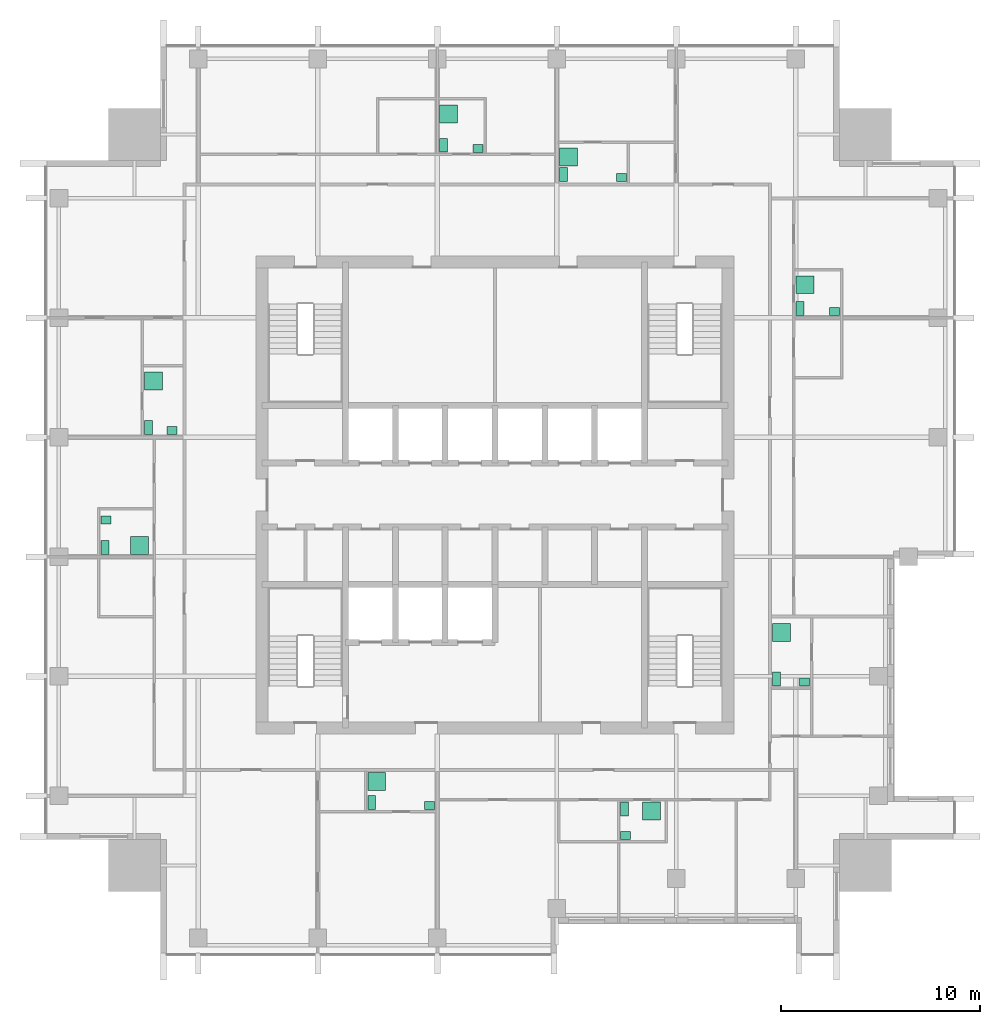
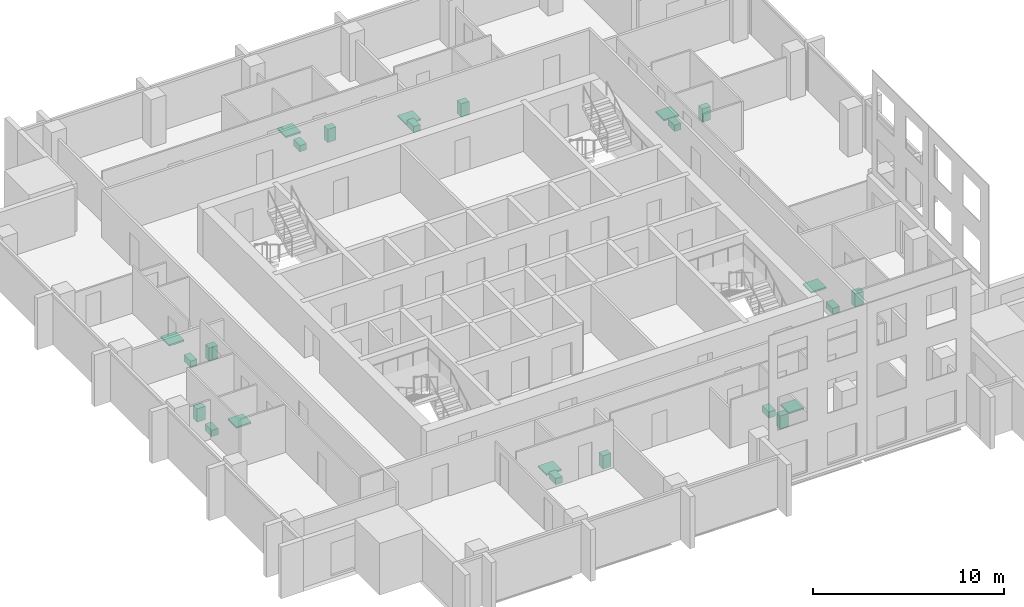
# One storey, part 10 of 10: 24 sanitary terminals.
"""IFC4 building model written with IfcOpenShell, lengths in metres."""

from ifc_helpers import new_model, si_unit, direction, frame, origin, origin_2d, place, context, subcontext, project, spatial, rectangle, extrude, element, save


model = new_model("IFC4")

# Units and contexts
model_context = context("Model", 3, precision=1e-05, world=origin(), true_north=direction((0.0, 1.0)))
body_context = subcontext(model_context, "Body", "Model", "MODEL_VIEW")
ifc_project = project(units=[si_unit("LENGTHUNIT", "METRE"), si_unit("AREAUNIT", "SQUARE_METRE"), si_unit("VOLUMEUNIT", "CUBIC_METRE"), si_unit("PLANEANGLEUNIT", "RADIAN"), si_unit("MASSUNIT", "GRAM", prefix="KILO")], contexts=[model_context])

# Site, building, storey
site_placement = place(None, origin())
site = spatial("IfcSite", under=ifc_project, at=site_placement, CompositionType="ELEMENT")
building_placement = place(site_placement, origin())
building = spatial("IfcBuilding", under=site, at=building_placement, Name="Amberfall Residences", CompositionType="ELEMENT")
storey_placement = place(building_placement, frame((0.0, 0.0, 206.800048828125)))
storey = spatial("IfcBuildingStorey", under=building, at=storey_placement, Name="L55", CompositionType="ELEMENT", Elevation=206.800048828125)

# Sanitary terminals
sanitary_terminal_1_placement = place(storey_placement, frame((68.31005859375, 30.06005859375, 0.0), z_axis=(0.0, 0.0, 1.0), x_axis=(1.0, 0.0, 0.0)))
element("IfcSanitaryTerminal", 1, at=sanitary_terminal_1_placement, inside=storey, Name="Water closet 5501", PredefinedType="TOILETPAN", context=body_context, shape_type="SweptSolid", body=[
    extrude(rectangle(XDim=0.39990234375, YDim=0.699951171875, at=origin_2d()), origin(), (0.0, 0.0, 1.0), 0.39990234375),
])
sanitary_terminal_2_placement = place(storey_placement, frame((71.215087890625, 29.909912109375, 0.0), z_axis=(0.0, 0.0, 1.0), x_axis=(1.0, 0.0, 0.0)))
element("IfcSanitaryTerminal", 2, at=sanitary_terminal_2_placement, inside=storey, Name="Basin 5501", PredefinedType="WASHHANDBASIN", context=body_context, shape_type="SweptSolid", body=[
    extrude(rectangle(XDim=0.5, YDim=0.39990234375, at=origin_2d()), origin(), (0.0, 0.0, 1.0), 0.85009765625),
])
sanitary_terminal_3_placement = place(storey_placement, frame((68.56005859375, 31.114990234375, 0.0), z_axis=(0.0, 0.0, 1.0), x_axis=(1.0, 0.0, 0.0)))
element("IfcSanitaryTerminal", 3, at=sanitary_terminal_3_placement, inside=storey, Name="Shower tray 5501", PredefinedType="SHOWER", context=body_context, shape_type="SweptSolid", body=[
    extrude(rectangle(XDim=0.89990234375, YDim=0.89990234375, at=origin_2d()), origin(), (0.0, 0.0, 1.0), 0.10009765625),
])
sanitary_terminal_4_placement = place(storey_placement, frame((81.010009765625, 29.739990234375, 0.0), z_axis=(0.0, 0.0, 1.0), x_axis=(1.0, 0.0, 0.0)))
element("IfcSanitaryTerminal", 4, at=sanitary_terminal_4_placement, inside=storey, Name="Water closet 5502", PredefinedType="TOILETPAN", context=body_context, shape_type="SweptSolid", body=[
    extrude(rectangle(XDim=0.39990234375, YDim=0.699951171875, at=origin_2d()), origin(), (0.0, 0.0, 1.0), 0.39990234375),
])
sanitary_terminal_5_placement = place(storey_placement, frame((81.06005859375, 28.409912109375, 0.0), z_axis=(0.0, 0.0, 1.0), x_axis=(1.0, 0.0, 0.0)))
element("IfcSanitaryTerminal", 5, at=sanitary_terminal_5_placement, inside=storey, Name="Basin 5502", PredefinedType="WASHHANDBASIN", context=body_context, shape_type="SweptSolid", body=[
    extrude(rectangle(XDim=0.5, YDim=0.39990234375, at=origin_2d()), origin(), (0.0, 0.0, 1.0), 0.85009765625),
])
sanitary_terminal_6_placement = place(storey_placement, frame((82.357177734375, 29.639892578125, 0.0), z_axis=(0.0, 0.0, 1.0), x_axis=(1.0, 0.0, 0.0)))
element("IfcSanitaryTerminal", 6, at=sanitary_terminal_6_placement, inside=storey, Name="Shower tray 5502", PredefinedType="SHOWER", context=body_context, shape_type="SweptSolid", body=[
    extrude(rectangle(XDim=0.89990234375, YDim=0.89990234375, at=origin_2d()), origin(), (0.0, 0.0, 1.0), 0.10009765625),
])
sanitary_terminal_7_placement = place(storey_placement, frame((88.635009765625, 36.260009765625, 0.0), z_axis=(0.0, 0.0, 1.0), x_axis=(1.0, 0.0, 0.0)))
element("IfcSanitaryTerminal", 7, at=sanitary_terminal_7_placement, inside=storey, Name="Water closet 5503", PredefinedType="TOILETPAN", context=body_context, shape_type="SweptSolid", body=[
    extrude(rectangle(XDim=0.39990234375, YDim=0.699951171875, at=origin_2d()), origin(), (0.0, 0.0, 1.0), 0.39990234375),
])
sanitary_terminal_8_placement = place(storey_placement, frame((90.0400390625, 36.110107421875, 0.0), z_axis=(0.0, 0.0, 1.0), x_axis=(1.0, 0.0, 0.0)))
element("IfcSanitaryTerminal", 8, at=sanitary_terminal_8_placement, inside=storey, Name="Basin 5503", PredefinedType="WASHHANDBASIN", context=body_context, shape_type="SweptSolid", body=[
    extrude(rectangle(XDim=0.5, YDim=0.39990234375, at=origin_2d()), origin(), (0.0, 0.0, 1.0), 0.85009765625),
])
sanitary_terminal_9_placement = place(storey_placement, frame((88.885009765625, 38.591796875, 0.0), z_axis=(0.0, 0.0, 1.0), x_axis=(1.0, 0.0, 0.0)))
element("IfcSanitaryTerminal", 9, at=sanitary_terminal_9_placement, inside=storey, Name="Shower tray 5503", PredefinedType="SHOWER", context=body_context, shape_type="SweptSolid", body=[
    extrude(rectangle(XDim=0.89990234375, YDim=0.89990234375, at=origin_2d()), origin(), (0.0, 0.0, 1.0), 0.10009765625),
])
sanitary_terminal_10_placement = place(storey_placement, frame((89.81005859375, 54.860107421875, 0.0), z_axis=(0.0, 0.0, 1.0), x_axis=(1.0, 0.0, 0.0)))
element("IfcSanitaryTerminal", 10, at=sanitary_terminal_10_placement, inside=storey, Name="Water closet 5504", PredefinedType="TOILETPAN", context=body_context, shape_type="SweptSolid", body=[
    extrude(rectangle(XDim=0.39990234375, YDim=0.699951171875, at=origin_2d()), origin(), (0.0, 0.0, 1.0), 0.39990234375),
])
sanitary_terminal_11_placement = place(storey_placement, frame((91.5400390625, 54.7099609375, 0.0), z_axis=(0.0, 0.0, 1.0), x_axis=(1.0, 0.0, 0.0)))
element("IfcSanitaryTerminal", 11, at=sanitary_terminal_11_placement, inside=storey, Name="Basin 5504", PredefinedType="WASHHANDBASIN", context=body_context, shape_type="SweptSolid", body=[
    extrude(rectangle(XDim=0.5, YDim=0.39990234375, at=origin_2d()), origin(), (0.0, 0.0, 1.0), 0.85009765625),
])
sanitary_terminal_12_placement = place(storey_placement, frame((90.06005859375, 56.05712890625, 0.0), z_axis=(0.0, 0.0, 1.0), x_axis=(1.0, 0.0, 0.0)))
element("IfcSanitaryTerminal", 12, at=sanitary_terminal_12_placement, inside=storey, Name="Shower tray 5504", PredefinedType="SHOWER", context=body_context, shape_type="SweptSolid", body=[
    extrude(rectangle(XDim=0.89990234375, YDim=0.89990234375, at=origin_2d()), origin(), (0.0, 0.0, 1.0), 0.10009765625),
])
sanitary_terminal_13_placement = place(storey_placement, frame((71.909912109375, 63.06005859375, 0.0), z_axis=(0.0, 0.0, 1.0), x_axis=(1.0, 0.0, 0.0)))
element("IfcSanitaryTerminal", 13, at=sanitary_terminal_13_placement, inside=storey, Name="Water closet 5505", PredefinedType="TOILETPAN", context=body_context, shape_type="SweptSolid", body=[
    extrude(rectangle(XDim=0.39990234375, YDim=0.699951171875, at=origin_2d()), origin(), (0.0, 0.0, 1.0), 0.39990234375),
])
sanitary_terminal_14_placement = place(storey_placement, frame((73.639892578125, 62.909912109375, 0.0), z_axis=(0.0, 0.0, 1.0), x_axis=(1.0, 0.0, 0.0)))
element("IfcSanitaryTerminal", 14, at=sanitary_terminal_14_placement, inside=storey, Name="Basin 5505", PredefinedType="WASHHANDBASIN", context=body_context, shape_type="SweptSolid", body=[
    extrude(rectangle(XDim=0.5, YDim=0.39990234375, at=origin_2d()), origin(), (0.0, 0.0, 1.0), 0.85009765625),
])
sanitary_terminal_15_placement = place(storey_placement, frame((72.159912109375, 64.6298828125, 0.0), z_axis=(0.0, 0.0, 1.0), x_axis=(1.0, 0.0, 0.0)))
element("IfcSanitaryTerminal", 15, at=sanitary_terminal_15_placement, inside=storey, Name="Shower tray 5505", PredefinedType="SHOWER", context=body_context, shape_type="SweptSolid", body=[
    extrude(rectangle(XDim=0.89990234375, YDim=0.89990234375, at=origin_2d()), origin(), (0.0, 0.0, 1.0), 0.10009765625),
])
sanitary_terminal_16_placement = place(storey_placement, frame((77.93505859375, 61.5849609375, 0.0), z_axis=(0.0, 0.0, 1.0), x_axis=(1.0, 0.0, 0.0)))
element("IfcSanitaryTerminal", 16, at=sanitary_terminal_16_placement, inside=storey, Name="Water closet 5506", PredefinedType="TOILETPAN", context=body_context, shape_type="SweptSolid", body=[
    extrude(rectangle(XDim=0.39990234375, YDim=0.699951171875, at=origin_2d()), origin(), (0.0, 0.0, 1.0), 0.39990234375),
])
sanitary_terminal_17_placement = place(storey_placement, frame((80.840087890625, 61.43505859375, 0.0), z_axis=(0.0, 0.0, 1.0), x_axis=(1.0, 0.0, 0.0)))
element("IfcSanitaryTerminal", 17, at=sanitary_terminal_17_placement, inside=storey, Name="Basin 5506", PredefinedType="WASHHANDBASIN", context=body_context, shape_type="SweptSolid", body=[
    extrude(rectangle(XDim=0.5, YDim=0.39990234375, at=origin_2d()), origin(), (0.0, 0.0, 1.0), 0.85009765625),
])
sanitary_terminal_18_placement = place(storey_placement, frame((78.18505859375, 62.480712890625, 0.0), z_axis=(0.0, 0.0, 1.0), x_axis=(1.0, 0.0, 0.0)))
element("IfcSanitaryTerminal", 18, at=sanitary_terminal_18_placement, inside=storey, Name="Shower tray 5506", PredefinedType="SHOWER", context=body_context, shape_type="SweptSolid", body=[
    extrude(rectangle(XDim=0.89990234375, YDim=0.89990234375, at=origin_2d()), origin(), (0.0, 0.0, 1.0), 0.10009765625),
])
sanitary_terminal_19_placement = place(storey_placement, frame((54.909912109375, 42.860107421875, 0.0), z_axis=(0.0, 0.0, 1.0), x_axis=(1.0, 0.0, 0.0)))
element("IfcSanitaryTerminal", 19, at=sanitary_terminal_19_placement, inside=storey, Name="Water closet 5507", PredefinedType="TOILETPAN", context=body_context, shape_type="SweptSolid", body=[
    extrude(rectangle(XDim=0.39990234375, YDim=0.699951171875, at=origin_2d()), origin(), (0.0, 0.0, 1.0), 0.39990234375),
])
sanitary_terminal_20_placement = place(storey_placement, frame((54.9599609375, 44.235595703125, 0.0), z_axis=(0.0, 0.0, 1.0), x_axis=(1.0, 0.0, 0.0)))
element("IfcSanitaryTerminal", 20, at=sanitary_terminal_20_placement, inside=storey, Name="Basin 5507", PredefinedType="WASHHANDBASIN", context=body_context, shape_type="SweptSolid", body=[
    extrude(rectangle(XDim=0.5, YDim=0.39990234375, at=origin_2d()), origin(), (0.0, 0.0, 1.0), 0.85009765625),
])
sanitary_terminal_21_placement = place(storey_placement, frame((56.6533203125, 42.9599609375, 0.0), z_axis=(0.0, 0.0, 1.0), x_axis=(1.0, 0.0, 0.0)))
element("IfcSanitaryTerminal", 21, at=sanitary_terminal_21_placement, inside=storey, Name="Shower tray 5507", PredefinedType="SHOWER", context=body_context, shape_type="SweptSolid", body=[
    extrude(rectangle(XDim=0.89990234375, YDim=0.89990234375, at=origin_2d()), origin(), (0.0, 0.0, 1.0), 0.10009765625),
])
sanitary_terminal_22_placement = place(storey_placement, frame((57.110107421875, 48.885009765625, 0.0), z_axis=(0.0, 0.0, 1.0), x_axis=(1.0, 0.0, 0.0)))
element("IfcSanitaryTerminal", 22, at=sanitary_terminal_22_placement, inside=storey, Name="Water closet 5508", PredefinedType="TOILETPAN", context=body_context, shape_type="SweptSolid", body=[
    extrude(rectangle(XDim=0.39990234375, YDim=0.699951171875, at=origin_2d()), origin(), (0.0, 0.0, 1.0), 0.39990234375),
])
sanitary_terminal_23_placement = place(storey_placement, frame((58.2890625, 48.735107421875, 0.0), z_axis=(0.0, 0.0, 1.0), x_axis=(1.0, 0.0, 0.0)))
element("IfcSanitaryTerminal", 23, at=sanitary_terminal_23_placement, inside=storey, Name="Basin 5508", PredefinedType="WASHHANDBASIN", context=body_context, shape_type="SweptSolid", body=[
    extrude(rectangle(XDim=0.5, YDim=0.39990234375, at=origin_2d()), origin(), (0.0, 0.0, 1.0), 0.85009765625),
])
sanitary_terminal_24_placement = place(storey_placement, frame((57.360107421875, 51.216796875, 0.0), z_axis=(0.0, 0.0, 1.0), x_axis=(1.0, 0.0, 0.0)))
element("IfcSanitaryTerminal", 24, at=sanitary_terminal_24_placement, inside=storey, Name="Shower tray 5508", PredefinedType="SHOWER", context=body_context, shape_type="SweptSolid", body=[
    extrude(rectangle(XDim=0.89990234375, YDim=0.89990234375, at=origin_2d()), origin(), (0.0, 0.0, 1.0), 0.10009765625),
])

save(model, "model.ifc")
